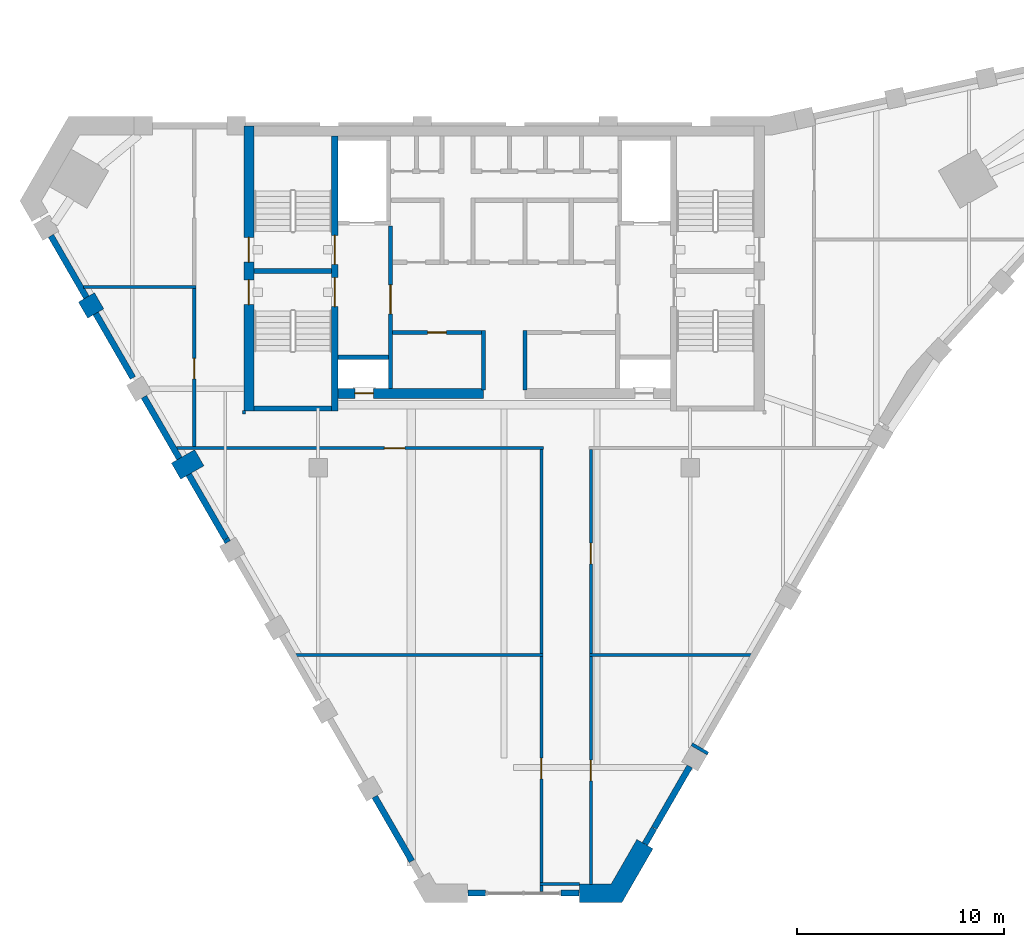
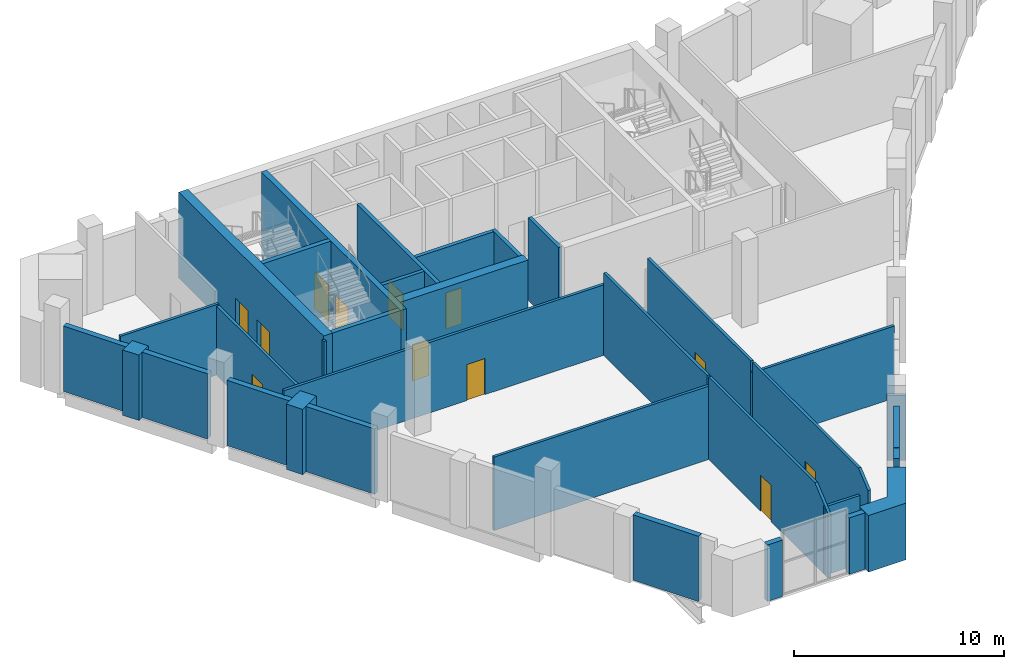
# One storey, part 4 of 9: 35 walls, 12 doors, 12 openings.
"""IFC4 building model written with IfcOpenShell, lengths in metres."""

from ifc_helpers import new_model, si_unit, direction, frame, frame_2d, origin, place, context, subcontext, project, spatial, polyline, rectangle, outline, extrude, material, layer, layer_set, type_object, element, fill, save


model = new_model("IFC4")

# Units and contexts
model_context = context("Model", 3, precision=1e-05, world=origin(), true_north=direction((0.0, 1.0)))
body_context = subcontext(model_context, "Body", "Model", "MODEL_VIEW")
ifc_project = project(units=[si_unit("LENGTHUNIT", "METRE"), si_unit("AREAUNIT", "SQUARE_METRE"), si_unit("VOLUMEUNIT", "CUBIC_METRE"), si_unit("PLANEANGLEUNIT", "RADIAN"), si_unit("MASSUNIT", "GRAM", prefix="KILO")], contexts=[model_context])

# Site, building, storey
site_placement = place(None, origin())
site = spatial("IfcSite", under=ifc_project, at=site_placement, CompositionType="ELEMENT")
building_placement = place(site_placement, origin())
building = spatial("IfcBuilding", under=site, at=building_placement, Name="Calabash Gate Tower", CompositionType="ELEMENT")
storey_placement = place(building_placement, frame((0.0, 0.0, 315.5)))
storey = spatial("IfcBuildingStorey", under=building, at=storey_placement, Name="L74", CompositionType="ELEMENT", Elevation=315.5)

# Walls
ifc_material_1 = material(Name="Terracotta brick masonry, exposed face", Category="masonry")
ifc_layer_1 = layer(ifc_material_1, 0.89990234375)
ifc_layer_set_1 = layer_set([ifc_layer_1], Name="Brick end wall 900")
wall_type_1 = type_object("IfcWallType", Name="Brick end wall 900", PredefinedType="SOLIDWALL", material=ifc_layer_set_1)
wall_1_placement = place(storey_placement, frame((-20.216064453125, 10.749755859375, 0.0), z_axis=(0.0, 0.0, 1.0), x_axis=(0.500105887137, -0.865964261186, 0.0)))
element("IfcWall", 1, at=wall_1_placement, inside=storey, type_object=wall_type_1, Name="Brick pier L74 crown0.1", PredefinedType="SOLIDWALL", context=body_context, shape_type="SweptSolid", body=[
    extrude(rectangle(XDim=0.900146484375, YDim=0.89990234375, at=frame_2d((0.4501953125, 0.0))), origin(), (0.0, 0.0, 1.0), 3.800048828125),
])
wall_2_placement = place(storey_placement, frame((-15.880615234375, 2.3408203125, 0.0), z_axis=(0.0, 0.0, 1.0), x_axis=(0.86611990832, 0.499836277606, 0.0)))
element("IfcWall", 2, at=wall_2_placement, inside=storey, type_object=wall_type_1, Name="Brick pier L74 crown0.3", PredefinedType="SOLIDWALL", context=body_context, shape_type="SweptSolid", body=[
    extrude(rectangle(XDim=1.2998046875, YDim=0.89990234375, at=frame_2d((0.64990234375, 0.0))), origin(), (0.0, 0.0, 1.0), 3.800048828125),
])
wall_3_placement = place(storey_placement, origin())
element("IfcWall", 3, at=wall_3_placement, inside=storey, type_object=wall_type_1, Name="Brick pier L74 crown2.1", PredefinedType="SOLIDWALL", context=body_context, shape_type="SweptSolid", body=[
    extrude(outline(polyline([(9.122314453125, -10.80712890625), (8.67236328125, -11.586669921875), (8.67236328125, -11.586669921875), (9.043212890625, -10.9443359375), (9.822509765625, -11.394287109375), (9.901611328125, -11.25732421875), (9.122314453125, -10.80712890625)])), origin(), (0.0, 0.0, 1.0), 3.800048828125),
])
wall_4_placement = place(storey_placement, origin())
element("IfcWall", 4, at=wall_4_placement, inside=storey, type_object=wall_type_1, Name="Brick end wall L74 2", PredefinedType="SOLIDWALL", context=body_context, shape_type="SweptSolid", body=[
    extrude(outline(polyline([(3.635986328125, -17.630859375), (3.635986328125, -18.53076171875), (5.702392578125, -18.53076171875), (7.20166015625, -15.933837890625), (6.42236328125, -15.48388671875), (5.1826171875, -17.630859375), (3.635986328125, -17.630859375)])), origin(), (0.0, 0.0, 1.0), 3.29736328125),
])
ifc_material_2 = material(Name="Gypsum board on steel studs, mineral wool", Category="steel")
ifc_layer_2 = layer(ifc_material_2, 0.199951171875)
ifc_layer_set_2 = layer_set([ifc_layer_2], Name="Core partition 200 gypsum board")
wall_type_2 = type_object("IfcWallType", Name="Core partition 200 gypsum board", PredefinedType="PARTITIONING", material=ifc_layer_set_2)
for number, where, z_axis, x_axis, name in (
    (5, (-1.0, 6.272705078125, 0.0), (0.0, 0.0, 1.0), (0.0, 1.0, 0.0), "Core partition"),
    (6, (1.0, 6.272705078125, 0.0), (0.0, 0.0, 1.0), (0.0, 1.0, 0.0), "Core partition"),
):
    element("IfcWall", number, at=place(storey_placement, frame(where, z_axis=z_axis, x_axis=x_axis)), inside=storey, type_object=wall_type_2, Name=name, PredefinedType="PARTITIONING", context=body_context, shape_type="SweptSolid", body=[
        extrude(rectangle(XDim=2.8798828125, YDim=0.199951171875, at=frame_2d((1.43994140625, 0.0))), origin(), (0.0, 0.0, 1.0), 4.800048828125),
    ])

# Wall, opening, door
wall_5_placement = place(storey_placement, frame((-5.39990234375, 9.052490234375, 0.0), z_axis=(0.0, 0.0, 1.0), x_axis=(1.0, 0.0, 0.0)))
wall_5 = element("IfcWall", 7, at=wall_5_placement, inside=storey, type_object=wall_type_2, Name="Core partition", PredefinedType="PARTITIONING", context=body_context, shape_type="SweptSolid", body=[
    extrude(rectangle(XDim=4.2998046875, YDim=0.199951171875, at=frame_2d((2.14990234375, 0.0))), origin(), (0.0, 0.0, 1.0), 4.800048828125),
])
opening_1_placement = place(wall_5_placement, frame((1.699951171875, 0.0, 0.0)))
opening_1 = element("IfcOpeningElement", 8, at=opening_1_placement, cuts=wall_5, Name="Opening L74-018", PredefinedType="OPENING", context=body_context, shape_type="SweptSolid", body=[
    extrude(rectangle(XDim=0.89990234375, YDim=2.10009765625, at=frame_2d((0.449951171875, 1.050048828125))), frame((0.0, 0.10986328125, 0.0), z_axis=(0.0, -1.0, 0.0), x_axis=(1.0, 0.0, 0.0)), (0.0, 0.0, 1.0), 0.219970703125),
])
ifc_material_3 = material(Name="Steel fire door set with fire-resisting glazing", Category="steel")
door_type_1 = type_object("IfcDoorType", Name="Fire door D06 900x2100 FD60", OperationType="NOTDEFINED", PredefinedType="DOOR", material=ifc_material_3)
door_1_placement = place(opening_1_placement, origin())
door_1 = element("IfcDoor", 9, at=door_1_placement, inside=storey, type_object=door_type_1, Name="Plant Control Room door", OperationType="SINGLE_SWING_RIGHT", OverallHeight=2.10009765625, OverallWidth=0.89990234375, PredefinedType="DOOR", context=body_context, shape_type="SweptSolid", body=[
    extrude(rectangle(XDim=0.89990234375, YDim=2.10009765625, at=frame_2d((0.449951171875, 1.050048828125))), frame((0.0, 0.02490234375, 0.0), z_axis=(0.0, -1.0, 0.0), x_axis=(1.0, 0.0, 0.0)), (0.0, 0.0, 1.0), 0.050048828125),
])
fill(opening_1, door_1)

# Walls
ifc_material_4 = material(Name="Concrete C60/75", Category="concrete")
ifc_layer_3 = layer(ifc_material_4, 0.25)
ifc_layer_set_3 = layer_set([ifc_layer_3], Name="Core wall 250 Concrete C60/75")
wall_type_3 = type_object("IfcWallType", Name="Core wall 250 Concrete C60/75", PredefinedType="SHEAR", material=ifc_layer_set_3)
for number, where, z_axis, x_axis, name in (
    (10, (-12.10009765625, 12.027587890625, 0.0), (0.0, 0.0, 1.0), (1.0, 0.0, 0.0), "Core wall C-MIDW L74"),
    (11, (-12.10009765625, 5.377685546875, 0.0), (0.0, 0.0, 1.0), (1.0, 0.0, 0.0), "Core wall C-SSW L74"),
):
    element("IfcWall", number, at=place(storey_placement, frame(where, z_axis=z_axis, x_axis=x_axis)), inside=storey, type_object=wall_type_3, Name=name, PredefinedType="SHEAR", context=body_context, shape_type="SweptSolid", body=[
        extrude(rectangle(XDim=3.75, YDim=0.25, at=frame_2d((1.875, 0.0))), origin(), (0.0, 0.0, 1.0), 5.0),
    ])

# Wall, openings, doors
ifc_material_5 = material(Name="Concrete C60/75", Category="concrete")
ifc_layer_4 = layer(ifc_material_5, 0.300048828125)
ifc_layer_set_4 = layer_set([ifc_layer_4], Name="Core wall 300 Concrete C60/75")
wall_type_4 = type_object("IfcWallType", Name="Core wall 300 Concrete C60/75", PredefinedType="SHEAR", material=ifc_layer_set_4)
wall_6_placement = place(storey_placement, frame((-8.199951171875, 5.252685546875, 0.0), z_axis=(0.0, 0.0, 1.0), x_axis=(0.0, 1.0, 0.0)))
wall_6 = element("IfcWall", 12, at=wall_6_placement, inside=storey, type_object=wall_type_4, Name="Core wall C-PARTW L74", PredefinedType="SHEAR", context=body_context, shape_type="SweptSolid", body=[
    extrude(rectangle(XDim=13.2998046875, YDim=0.300048828125, at=frame_2d((6.64990234375, 0.0))), origin(), (0.0, 0.0, 1.0), 5.0),
])
opening_2_placement = place(wall_6_placement, frame((7.10009765625, 0.0, 0.0)))
opening_2 = element("IfcOpeningElement", 13, at=opening_2_placement, cuts=wall_6, Name="Opening L74-001", PredefinedType="OPENING", context=body_context, shape_type="SweptSolid", body=[
    extrude(rectangle(XDim=1.39990234375, YDim=2.10009765625, at=frame_2d((0.699951171875, 1.050048828125))), frame((0.0, 0.159912109375, 0.0), z_axis=(0.0, -1.0, 0.0), x_axis=(1.0, 0.0, 0.0)), (0.0, 0.0, 1.0), 0.320068359375),
])
opening_3_placement = place(wall_6_placement, frame((5.050048828125, 0.0, 0.0)))
opening_3 = element("IfcOpeningElement", 14, at=opening_3_placement, cuts=wall_6, Name="Opening L74-002", PredefinedType="OPENING", context=body_context, shape_type="SweptSolid", body=[
    extrude(rectangle(XDim=1.39990234375, YDim=2.10009765625, at=frame_2d((0.699951171875, 1.050048828125))), frame((0.0, 0.159912109375, 0.0), z_axis=(0.0, -1.0, 0.0), x_axis=(1.0, 0.0, 0.0)), (0.0, 0.0, 1.0), 0.320068359375),
])
ifc_material_6 = material(Name="Steel fire door set with fire-resisting glazing", Category="steel")
door_type_2 = type_object("IfcDoorType", Name="Fire door D05 1400x2100 FD90", OperationType="NOTDEFINED", PredefinedType="DOOR", material=ifc_material_6)
door_2_placement = place(opening_2_placement, origin())
door_2 = element("IfcDoor", 15, at=door_2_placement, inside=storey, type_object=door_type_2, Name="Exit stair door ST1", OperationType="SINGLE_SWING_LEFT", OverallHeight=2.10009765625, OverallWidth=1.39990234375, PredefinedType="DOOR", context=body_context, shape_type="SweptSolid", body=[
    extrude(rectangle(XDim=1.39990234375, YDim=2.10009765625, at=frame_2d((0.699951171875, 1.050048828125))), frame((0.0, 0.02490234375, 0.0), z_axis=(0.0, -1.0, 0.0), x_axis=(1.0, 0.0, 0.0)), (0.0, 0.0, 1.0), 0.050048828125),
])
fill(opening_2, door_2)
door_3_placement = place(opening_3_placement, origin())
door_3 = element("IfcDoor", 16, at=door_3_placement, inside=storey, type_object=door_type_2, Name="Exit stair door ST2", OperationType="SINGLE_SWING_LEFT", OverallHeight=2.10009765625, OverallWidth=1.39990234375, PredefinedType="DOOR", context=body_context, shape_type="SweptSolid", body=[
    extrude(rectangle(XDim=1.39990234375, YDim=2.10009765625, at=frame_2d((0.699951171875, 1.050048828125))), frame((0.0, 0.02490234375, 0.0), z_axis=(0.0, -1.0, 0.0), x_axis=(1.0, 0.0, 0.0)), (0.0, 0.0, 1.0), 0.050048828125),
])
fill(opening_3, door_3)

ifc_material_7 = material(Name="Concrete C60/75", Category="concrete")
ifc_layer_5 = layer(ifc_material_7, 0.5)
ifc_layer_set_5 = layer_set([ifc_layer_5], Name="Core wall 500 Concrete C60/75")
wall_type_5 = type_object("IfcWallType", Name="Core wall 500 Concrete C60/75", PredefinedType="SHEAR", material=ifc_layer_set_5)
wall_7_placement = place(storey_placement, frame((-12.35009765625, 5.252685546875, 0.0), z_axis=(0.0, 0.0, 1.0), x_axis=(0.0, 1.0, 0.0)))
wall_7 = element("IfcWall", 17, at=wall_7_placement, inside=storey, type_object=wall_type_5, Name="Core wall C-COLW L74", PredefinedType="SHEAR", context=body_context, shape_type="SweptSolid", body=[
    extrude(rectangle(XDim=13.7998046875, YDim=0.5, at=frame_2d((6.89990234375, 0.0))), origin(), (0.0, 0.0, 1.0), 5.0),
])
opening_4_placement = place(wall_7_placement, frame((7.199951171875, 0.0, 0.0)))
opening_4 = element("IfcOpeningElement", 18, at=opening_4_placement, cuts=wall_7, Name="Opening L74-005", PredefinedType="OPENING", context=body_context, shape_type="SweptSolid", body=[
    extrude(rectangle(XDim=1.199951171875, YDim=2.10009765625, at=frame_2d((0.60009765625, 1.050048828125))), frame((0.0, 0.260009765625, 0.0), z_axis=(0.0, -1.0, 0.0), x_axis=(1.0, 0.0, 0.0)), (0.0, 0.0, 1.0), 0.52001953125),
])
opening_5_placement = place(wall_7_placement, frame((5.14990234375, 0.0, 0.0)))
opening_5 = element("IfcOpeningElement", 19, at=opening_5_placement, cuts=wall_7, Name="Opening L74-006", PredefinedType="OPENING", context=body_context, shape_type="SweptSolid", body=[
    extrude(rectangle(XDim=1.199951171875, YDim=2.10009765625, at=frame_2d((0.60009765625, 1.050048828125))), frame((0.0, 0.260009765625, 0.0), z_axis=(0.0, -1.0, 0.0), x_axis=(1.0, 0.0, 0.0)), (0.0, 0.0, 1.0), 0.52001953125),
])
ifc_material_8 = material(Name="Steel fire door set with fire-resisting glazing", Category="steel")
door_type_3 = type_object("IfcDoorType", Name="Fire door D10 1200x2100 FD90", OperationType="NOTDEFINED", PredefinedType="DOOR", material=ifc_material_8)
door_4_placement = place(opening_4_placement, origin())
door_4 = element("IfcDoor", 20, at=door_4_placement, inside=storey, type_object=door_type_3, Name="Exit stair door ST1", OperationType="SINGLE_SWING_RIGHT", OverallHeight=2.10009765625, OverallWidth=1.199951171875, PredefinedType="DOOR", context=body_context, shape_type="SweptSolid", body=[
    extrude(rectangle(XDim=1.199951171875, YDim=2.10009765625, at=frame_2d((0.60009765625, 1.050048828125))), frame((0.0, 0.02490234375, 0.0), z_axis=(0.0, -1.0, 0.0), x_axis=(1.0, 0.0, 0.0)), (0.0, 0.0, 1.0), 0.050048828125),
])
fill(opening_4, door_4)
door_5_placement = place(opening_5_placement, origin())
door_5 = element("IfcDoor", 21, at=door_5_placement, inside=storey, type_object=door_type_3, Name="Exit stair door ST2", OperationType="SINGLE_SWING_LEFT", OverallHeight=2.10009765625, OverallWidth=1.199951171875, PredefinedType="DOOR", context=body_context, shape_type="SweptSolid", body=[
    extrude(rectangle(XDim=1.199951171875, YDim=2.10009765625, at=frame_2d((0.60009765625, 1.050048828125))), frame((0.0, 0.02490234375, 0.0), z_axis=(0.0, -1.0, 0.0), x_axis=(1.0, 0.0, 0.0)), (0.0, 0.0, 1.0), 0.050048828125),
])
fill(opening_5, door_5)

# Wall, opening, door
wall_8_placement = place(storey_placement, frame((-8.050048828125, 6.1025390625, 0.0), z_axis=(0.0, 0.0, 1.0), x_axis=(1.0, 0.0, 0.0)))
wall_8 = element("IfcWall", 22, at=wall_8_placement, inside=storey, type_object=wall_type_5, Name="Core wall C-SA L74", PredefinedType="SHEAR", context=body_context, shape_type="SweptSolid", body=[
    extrude(rectangle(XDim=7.050048828125, YDim=0.5, at=frame_2d((3.52490234375, 0.0))), origin(), (0.0, 0.0, 1.0), 5.0),
])
opening_6_placement = place(wall_8_placement, frame((0.824951171875, 0.0, 0.0)))
opening_6 = element("IfcOpeningElement", 23, at=opening_6_placement, cuts=wall_8, Name="Opening L74-024", PredefinedType="OPENING", context=body_context, shape_type="SweptSolid", body=[
    extrude(rectangle(XDim=0.89990234375, YDim=2.10009765625, at=frame_2d((0.449951171875, 1.050048828125))), frame((0.0, 0.260009765625, 0.0), z_axis=(0.0, -1.0, 0.0), x_axis=(1.0, 0.0, 0.0)), (0.0, 0.0, 1.0), 0.52001953125),
])
ifc_material_9 = material(Name="Steel fire door set with fire-resisting glazing", Category="steel")
door_type_4 = type_object("IfcDoorType", Name="Fire door D07 900x2100 FD90", OperationType="NOTDEFINED", PredefinedType="DOOR", material=ifc_material_9)
door_6_placement = place(opening_6_placement, origin())
door_6 = element("IfcDoor", 24, at=door_6_placement, inside=storey, type_object=door_type_4, Name="Electrical Riser W door", OperationType="SINGLE_SWING_LEFT", OverallHeight=2.10009765625, OverallWidth=0.89990234375, PredefinedType="DOOR", context=body_context, shape_type="SweptSolid", body=[
    extrude(rectangle(XDim=0.89990234375, YDim=2.10009765625, at=frame_2d((0.449951171875, 1.050048828125))), frame((0.0, 0.02490234375, 0.0), z_axis=(0.0, -1.0, 0.0), x_axis=(1.0, 0.0, 0.0)), (0.0, 0.0, 1.0), 0.050048828125),
])
fill(opening_6, door_6)

# Wall
ifc_material_10 = material(Name="Gypsum board on steel studs, mineral wool", Category="steel")
ifc_layer_6 = layer(ifc_material_10, 0.14990234375)
ifc_layer_set_6 = layer_set([ifc_layer_6], Name="Partition 150 gypsum board")
wall_type_6 = type_object("IfcWallType", Name="Partition 150 gypsum board", PredefinedType="PARTITIONING", material=ifc_layer_set_6)
wall_9_placement = place(storey_placement, frame((1.72509765625, -17.6474609375, 0.0), z_axis=(0.0, 0.0, 1.0), x_axis=(1.0, 0.0, 0.0)))
element("IfcWall", 25, at=wall_9_placement, inside=storey, type_object=wall_type_6, Name="Partition", PredefinedType="PARTITIONING", context=body_context, shape_type="SweptSolid", body=[
    extrude(rectangle(XDim=1.930908203125, YDim=0.14990234375, at=frame_2d((0.96533203125, 0.0))), origin(), (0.0, 0.0, 1.0), 3.9755859375),
])

# Wall, opening, door
wall_10_placement = place(storey_placement, frame((1.800048828125, -18.000732421875, 0.0), z_axis=(0.0, 0.0, 1.0), x_axis=(0.0, 1.0, 0.0)))
wall_10 = element("IfcWall", 26, at=wall_10_placement, inside=storey, type_object=wall_type_6, Name="Partition", PredefinedType="PARTITIONING", context=body_context, shape_type="SweptSolid", body=[
    extrude(outline(polyline([(0.0, 0.0), (11.37841796875, 0.0), (11.37841796875, 4.800048828125), (1.2607421875, 4.800048828125), (0.0, 3.7421875), (0.0, 0.0)])), frame((0.0, 0.074951171875, 0.0), z_axis=(0.0, -1.0, 0.0), x_axis=(1.0, 0.0, 0.0)), (0.0, 0.0, 1.0), 0.14990234375),
])
opening_7_placement = place(wall_10_placement, frame((5.453369140625, 0.0, 0.0)))
opening_7 = element("IfcOpeningElement", 27, at=opening_7_placement, cuts=wall_10, Name="Opening L74-031", PredefinedType="OPENING", context=body_context, shape_type="SweptSolid", body=[
    extrude(rectangle(XDim=1.0, YDim=2.10009765625, at=frame_2d((0.5, 1.050048828125))), frame((0.0, 0.0849609375, 0.0), z_axis=(0.0, -1.0, 0.0), x_axis=(1.0, 0.0, 0.0)), (0.0, 0.0, 1.0), 0.169921875),
])
ifc_material_11 = material(Name="Steel fire door set with fire-resisting glazing", Category="steel")
door_type_5 = type_object("IfcDoorType", Name="Fire door D11 1000x2100 FD60", OperationType="NOTDEFINED", PredefinedType="DOOR", material=ifc_material_11)
door_7_placement = place(opening_7_placement, origin())
door_7 = element("IfcDoor", 28, at=door_7_placement, inside=storey, type_object=door_type_5, Name="Cooling Tower Plant Room door", OperationType="SINGLE_SWING_RIGHT", OverallHeight=2.10009765625, OverallWidth=1.0, PredefinedType="DOOR", context=body_context, shape_type="SweptSolid", body=[
    extrude(rectangle(XDim=1.0, YDim=2.10009765625, at=frame_2d((0.5, 1.050048828125))), frame((0.0, 0.02490234375, 0.0), z_axis=(0.0, -1.0, 0.0), x_axis=(1.0, 0.0, 0.0)), (0.0, 0.0, 1.0), 0.050048828125),
])
fill(opening_7, door_7)

wall_11_placement = place(storey_placement, frame((4.199951171875, -17.650634765625, 0.0), z_axis=(0.0, 0.0, 1.0), x_axis=(0.0, 1.0, 0.0)))
wall_11 = element("IfcWall", 29, at=wall_11_placement, inside=storey, type_object=wall_type_6, Name="Partition", PredefinedType="PARTITIONING", context=body_context, shape_type="SweptSolid", body=[
    extrude(outline(polyline([(0.0, 0.0), (11.0283203125, 0.0), (11.0283203125, 4.800048828125), (0.91064453125, 4.800048828125), (0.0, 4.035888671875), (0.0, 0.0)])), frame((0.0, 0.074951171875, 0.0), z_axis=(0.0, -1.0, 0.0), x_axis=(1.0, 0.0, 0.0)), (0.0, 0.0, 1.0), 0.14990234375),
])
opening_8_placement = place(wall_11_placement, frame((5.00341796875, 0.0, 0.0)))
opening_8 = element("IfcOpeningElement", 30, at=opening_8_placement, cuts=wall_11, Name="Opening L74-033", PredefinedType="OPENING", context=body_context, shape_type="SweptSolid", body=[
    extrude(rectangle(XDim=1.0, YDim=2.10009765625, at=frame_2d((0.5, 1.050048828125))), frame((0.0, 0.0849609375, 0.0), z_axis=(0.0, -1.0, 0.0), x_axis=(1.0, 0.0, 0.0)), (0.0, 0.0, 1.0), 0.169921875),
])
door_8_placement = place(opening_8_placement, origin())
door_8 = element("IfcDoor", 31, at=door_8_placement, inside=storey, type_object=door_type_5, Name="Electrical Switch Room door", OperationType="SINGLE_SWING_RIGHT", OverallHeight=2.10009765625, OverallWidth=1.0, PredefinedType="DOOR", context=body_context, shape_type="SweptSolid", body=[
    extrude(rectangle(XDim=1.0, YDim=2.10009765625, at=frame_2d((0.5, 1.050048828125))), frame((0.0, 0.02490234375, 0.0), z_axis=(0.0, -1.0, 0.0), x_axis=(1.0, 0.0, 0.0)), (0.0, 0.0, 1.0), 0.050048828125),
])
fill(opening_8, door_8)

# Walls
wall_12_placement = place(storey_placement, frame((-10.076171875, -6.54736328125, 0.0), z_axis=(0.0, 0.0, 1.0), x_axis=(1.0, 0.0, 0.0)))
element("IfcWall", 32, at=wall_12_placement, inside=storey, type_object=wall_type_6, Name="Partition", PredefinedType="PARTITIONING", context=body_context, shape_type="SweptSolid", body=[
    extrude(rectangle(XDim=11.951171875, YDim=0.14990234375, at=frame_2d((5.9755859375, 0.0))), origin(), (0.0, 0.0, 1.0), 4.271728515625),
])
wall_13_placement = place(storey_placement, frame((4.125, -6.54736328125, 0.0), z_axis=(0.0, 0.0, 1.0), x_axis=(1.0, 0.0, 0.0)))
element("IfcWall", 33, at=wall_13_placement, inside=storey, type_object=wall_type_6, Name="Partition", PredefinedType="PARTITIONING", context=body_context, shape_type="SweptSolid", body=[
    extrude(rectangle(XDim=7.822998046875, YDim=0.14990234375, at=frame_2d((3.91162109375, 0.0))), origin(), (0.0, 0.0, 1.0), 4.197998046875),
])
wall_14_placement = place(storey_placement, frame((1.800048828125, -6.472412109375, 0.0), z_axis=(0.0, 0.0, 1.0), x_axis=(0.0, 1.0, 0.0)))
element("IfcWall", 34, at=wall_14_placement, inside=storey, type_object=wall_type_6, Name="Partition", PredefinedType="PARTITIONING", context=body_context, shape_type="SweptSolid", body=[
    extrude(rectangle(XDim=9.85009765625, YDim=0.14990234375, at=frame_2d((4.925048828125, 0.0))), origin(), (0.0, 0.0, 1.0), 4.800048828125),
])

# Wall, opening, door
wall_15_placement = place(storey_placement, frame((4.199951171875, -6.472412109375, 0.0), z_axis=(0.0, 0.0, 1.0), x_axis=(0.0, 1.0, 0.0)))
wall_15 = element("IfcWall", 35, at=wall_15_placement, inside=storey, type_object=wall_type_6, Name="Partition", PredefinedType="PARTITIONING", context=body_context, shape_type="SweptSolid", body=[
    extrude(rectangle(XDim=9.85009765625, YDim=0.14990234375, at=frame_2d((4.925048828125, 0.0))), origin(), (0.0, 0.0, 1.0), 4.800048828125),
])
opening_9_placement = place(wall_15_placement, frame((4.324951171875, 0.0, 0.0)))
opening_9 = element("IfcOpeningElement", 36, at=opening_9_placement, cuts=wall_15, Name="Opening L74-032", PredefinedType="OPENING", context=body_context, shape_type="SweptSolid", body=[
    extrude(rectangle(XDim=1.0, YDim=2.10009765625, at=frame_2d((0.5, 1.050048828125))), frame((0.0, 0.0849609375, 0.0), z_axis=(0.0, -1.0, 0.0), x_axis=(1.0, 0.0, 0.0)), (0.0, 0.0, 1.0), 0.169921875),
])
door_9_placement = place(opening_9_placement, origin())
door_9 = element("IfcDoor", 37, at=door_9_placement, inside=storey, type_object=door_type_5, Name="Electrical Switch Room door", OperationType="SINGLE_SWING_RIGHT", OverallHeight=2.10009765625, OverallWidth=1.0, PredefinedType="DOOR", context=body_context, shape_type="SweptSolid", body=[
    extrude(rectangle(XDim=1.0, YDim=2.10009765625, at=frame_2d((0.5, 1.050048828125))), frame((0.0, 0.02490234375, 0.0), z_axis=(0.0, -1.0, 0.0), x_axis=(1.0, 0.0, 0.0)), (0.0, 0.0, 1.0), 0.050048828125),
])
fill(opening_9, door_9)

wall_16_placement = place(storey_placement, frame((-15.849853515625, 3.45263671875, 0.0), z_axis=(0.0, 0.0, 1.0), x_axis=(1.0, 0.0, 0.0)))
wall_16 = element("IfcWall", 38, at=wall_16_placement, inside=storey, type_object=wall_type_6, Name="Partition", PredefinedType="PARTITIONING", context=body_context, shape_type="SweptSolid", body=[
    extrude(rectangle(XDim=17.7548828125, YDim=0.14990234375, at=frame_2d((8.87744140625, 0.0))), origin(), (0.0, 0.0, 1.0), 4.10009765625),
])
opening_10_placement = place(wall_16_placement, frame((10.0498046875, 0.0, 0.0)))
opening_10 = element("IfcOpeningElement", 39, at=opening_10_placement, cuts=wall_16, Name="Opening L74-030", PredefinedType="OPENING", context=body_context, shape_type="SweptSolid", body=[
    extrude(rectangle(XDim=1.0, YDim=2.10009765625, at=frame_2d((0.5, 1.050048828125))), frame((0.0, 0.0849609375, 0.0), z_axis=(0.0, -1.0, 0.0), x_axis=(1.0, 0.0, 0.0)), (0.0, 0.0, 1.0), 0.169921875),
])
door_10_placement = place(opening_10_placement, origin())
door_10 = element("IfcDoor", 40, at=door_10_placement, inside=storey, type_object=door_type_5, Name="Cooling Tower Plant Room door", OperationType="SINGLE_SWING_RIGHT", OverallHeight=2.10009765625, OverallWidth=1.0, PredefinedType="DOOR", context=body_context, shape_type="SweptSolid", body=[
    extrude(rectangle(XDim=1.0, YDim=2.10009765625, at=frame_2d((0.5, 1.050048828125))), frame((0.0, 0.02490234375, 0.0), z_axis=(0.0, -1.0, 0.0), x_axis=(1.0, 0.0, 0.0)), (0.0, 0.0, 1.0), 0.050048828125),
])
fill(opening_10, door_10)

wall_17_placement = place(storey_placement, frame((-15.0, 3.527587890625, 0.0), z_axis=(0.0, 0.0, 1.0), x_axis=(0.0, 1.0, 0.0)))
wall_17 = element("IfcWall", 41, at=wall_17_placement, inside=storey, type_object=wall_type_6, Name="Partition", PredefinedType="PARTITIONING", context=body_context, shape_type="SweptSolid", body=[
    extrude(rectangle(XDim=7.64990234375, YDim=0.14990234375, at=frame_2d((3.824951171875, 0.0))), origin(), (0.0, 0.0, 1.0), 4.02001953125),
])
opening_11_placement = place(wall_17_placement, frame((3.27490234375, 0.0, 0.0)))
opening_11 = element("IfcOpeningElement", 42, at=opening_11_placement, cuts=wall_17, Name="Opening L74-027", PredefinedType="OPENING", context=body_context, shape_type="SweptSolid", body=[
    extrude(rectangle(XDim=1.0, YDim=2.10009765625, at=frame_2d((0.5, 1.050048828125))), frame((0.0, 0.0849609375, 0.0), z_axis=(0.0, -1.0, 0.0), x_axis=(1.0, 0.0, 0.0)), (0.0, 0.0, 1.0), 0.169921875),
])
door_11_placement = place(opening_11_placement, origin())
door_11 = element("IfcDoor", 43, at=door_11_placement, inside=storey, type_object=door_type_5, Name="Mechanical Fan Room door", OperationType="SINGLE_SWING_RIGHT", OverallHeight=2.10009765625, OverallWidth=1.0, PredefinedType="DOOR", context=body_context, shape_type="SweptSolid", body=[
    extrude(rectangle(XDim=1.0, YDim=2.10009765625, at=frame_2d((0.5, 1.050048828125))), frame((0.0, 0.02490234375, 0.0), z_axis=(0.0, -1.0, 0.0), x_axis=(1.0, 0.0, 0.0)), (0.0, 0.0, 1.0), 0.050048828125),
])
fill(opening_11, door_11)

# Walls
wall_18_placement = place(storey_placement, frame((-12.60009765625, 5.09765625, 0.0), z_axis=(0.0, 0.0, 1.0), x_axis=(0.0, 1.0, 0.0)))
element("IfcWall", 44, at=wall_18_placement, inside=storey, type_object=wall_type_6, Name="Partition", PredefinedType="PARTITIONING", context=body_context, shape_type="SweptSolid", body=[
    extrude(rectangle(XDim=0.179931640625, YDim=0.14990234375, at=frame_2d((0.08984375, 0.0))), origin(), (0.0, 0.0, 1.0), 4.800048828125),
])
wall_19_placement = place(storey_placement, frame((-20.35302734375, 11.252685546875, 0.0), z_axis=(0.0, 0.0, 1.0), x_axis=(1.0, 0.0, 0.0)))
element("IfcWall", 45, at=wall_19_placement, inside=storey, type_object=wall_type_6, Name="Partition", PredefinedType="PARTITIONING", context=body_context, shape_type="SweptSolid", body=[
    extrude(rectangle(XDim=5.427978515625, YDim=0.14990234375, at=frame_2d((2.7138671875, 0.0))), origin(), (0.0, 0.0, 1.0), 4.10009765625),
])

# Wall, opening, door
ifc_material_12 = material(Name="Concrete C40/50", Category="concrete")
ifc_layer_7 = layer(ifc_material_12, 0.199951171875)
ifc_layer_set_7 = layer_set([ifc_layer_7], Name="Shaft wall 200 Concrete C40/50")
wall_type_7 = type_object("IfcWallType", Name="Shaft wall 200 Concrete C40/50", PredefinedType="SOLIDWALL", material=ifc_layer_set_7)
wall_20_placement = place(storey_placement, frame((-5.5, 6.3525390625, 0.0), z_axis=(0.0, 0.0, 1.0), x_axis=(0.0, 1.0, 0.0)))
wall_20 = element("IfcWall", 46, at=wall_20_placement, inside=storey, type_object=wall_type_7, Name="Shaft wall", PredefinedType="SOLIDWALL", context=body_context, shape_type="SweptSolid", body=[
    extrude(rectangle(XDim=7.85009765625, YDim=0.199951171875, at=frame_2d((3.925048828125, 0.0))), origin(), (0.0, 0.0, 1.0), 4.800048828125),
])
opening_12_placement = place(wall_20_placement, frame((3.60009765625, 0.0, 0.0)))
opening_12 = element("IfcOpeningElement", 47, at=opening_12_placement, cuts=wall_20, Name="Opening L74-010", PredefinedType="OPENING", context=body_context, shape_type="SweptSolid", body=[
    extrude(rectangle(XDim=1.39990234375, YDim=2.10009765625, at=frame_2d((0.699951171875, 1.050048828125))), frame((0.0, 0.10986328125, 0.0), z_axis=(0.0, -1.0, 0.0), x_axis=(1.0, 0.0, 0.0)), (0.0, 0.0, 1.0), 0.219970703125),
])
door_12_placement = place(opening_12_placement, origin())
door_12 = element("IfcDoor", 48, at=door_12_placement, inside=storey, type_object=door_type_2, Name="Firefighting Lobby W door", OperationType="SINGLE_SWING_RIGHT", OverallHeight=2.10009765625, OverallWidth=1.39990234375, PredefinedType="DOOR", context=body_context, shape_type="SweptSolid", body=[
    extrude(rectangle(XDim=1.39990234375, YDim=2.10009765625, at=frame_2d((0.699951171875, 1.050048828125))), frame((0.0, 0.02490234375, 0.0), z_axis=(0.0, -1.0, 0.0), x_axis=(1.0, 0.0, 0.0)), (0.0, 0.0, 1.0), 0.050048828125),
])
fill(opening_12, door_12)

# Walls
wall_21_placement = place(storey_placement, frame((-8.050048828125, 7.8525390625, 0.0), z_axis=(0.0, 0.0, 1.0), x_axis=(1.0, 0.0, 0.0)))
element("IfcWall", 49, at=wall_21_placement, inside=storey, type_object=wall_type_7, Name="Shaft wall", PredefinedType="SOLIDWALL", context=body_context, shape_type="SweptSolid", body=[
    extrude(rectangle(XDim=2.449951171875, YDim=0.199951171875, at=frame_2d((1.22509765625, 0.0))), origin(), (0.0, 0.0, 1.0), 4.800048828125),
])
ifc_material_13 = material(Name="Terracotta louvre blades in an aluminium frame", Category="masonry")
ifc_layer_8 = layer(ifc_material_13, 0.300048828125)
ifc_layer_set_8 = layer_set([ifc_layer_8], Name="Terracotta louvre wall 300")
wall_type_8 = type_object("IfcWallType", Name="Terracotta louvre wall 300", PredefinedType="ELEMENTEDWALL", material=ifc_layer_set_8)
wall_22_placement = place(storey_placement, origin())
element("IfcWall", 50, at=wall_22_placement, inside=storey, type_object=wall_type_8, Name="LOUVRE L74 crown0.1", PredefinedType="ELEMENTEDWALL", context=body_context, shape_type="SweptSolid", body=[
    extrude(outline(polyline([(-20.086181640625, 10.82470703125), (-21.806884765625, 13.805419921875), (-22.066650390625, 13.6552734375), (-20.345947265625, 10.674560546875), (-20.086181640625, 10.82470703125)])), origin(), (0.0, 0.0, 1.0), 3.800048828125),
])
wall_23_placement = place(storey_placement, frame((-19.765869140625, 9.97021484375, 0.0), z_axis=(0.0, 0.0, 1.0), x_axis=(0.499961193289, -0.866047807691, 0.0)))
element("IfcWall", 51, at=wall_23_placement, inside=storey, type_object=wall_type_8, Name="LOUVRE L74 crown0.2", PredefinedType="ELEMENTEDWALL", context=body_context, shape_type="SweptSolid", body=[
    extrude(rectangle(XDim=3.599853515625, YDim=0.300048828125, at=frame_2d((1.7998046875, 0.0))), origin(), (0.0, 0.0, 1.0), 3.800048828125),
])
wall_24_placement = place(storey_placement, origin())
element("IfcWall", 52, at=wall_24_placement, inside=storey, type_object=wall_type_8, Name="LOUVRE L74 crown0.3", PredefinedType="ELEMENTEDWALL", context=body_context, shape_type="SweptSolid", body=[
    extrude(outline(polyline([(-15.586181640625, 3.030517578125), (-17.30712890625, 6.01123046875), (-17.56689453125, 5.861328125), (-15.845947265625, 2.88037109375), (-15.586181640625, 3.030517578125)])), origin(), (0.0, 0.0, 1.0), 3.800048828125),
])
for number, where, z_axis, x_axis, name in (
    (53, (-15.265869140625, 2.176025390625, 0.0), (0.0, 0.0, 1.0), (0.499961193289, -0.866047807691, 0.0), "LOUVRE L74 crown0.4"),
    (54, (-6.265869140625, -13.412353515625, 0.0), (0.0, 0.0, 1.0), (0.499961193289, -0.866047807691, 0.0), "LOUVRE L74 crown0.8"),
):
    element("IfcWall", number, at=place(storey_placement, frame(where, z_axis=z_axis, x_axis=x_axis)), inside=storey, type_object=wall_type_8, Name=name, PredefinedType="ELEMENTEDWALL", context=body_context, shape_type="SweptSolid", body=[
        extrude(rectangle(XDim=3.599853515625, YDim=0.300048828125, at=frame_2d((1.7998046875, 0.0))), origin(), (0.0, 0.0, 1.0), 3.800048828125),
    ])
wall_25_placement = place(storey_placement, origin())
element("IfcWall", 55, at=wall_25_placement, inside=storey, type_object=wall_type_8, Name="LOUVRE L74 crown2.1", PredefinedType="ELEMENTEDWALL", context=body_context, shape_type="SweptSolid", body=[
    extrude(outline(polyline([(7.391845703125, -15.00439453125), (9.11279296875, -12.023681640625), (8.85302734375, -11.87353515625), (7.132080078125, -14.854248046875), (7.391845703125, -15.00439453125)])), origin(), (0.0, 0.0, 1.0), 3.800048828125),
])
wall_26_placement = place(storey_placement, frame((-13.550048828125, -1.09619140625, 0.0), z_axis=(0.0, 0.0, 1.0), x_axis=(0.865778900179, 0.500426713919, 0.0)))
element("IfcWall", 56, at=wall_26_placement, inside=storey, type_object=wall_type_8, Name="LOUVRE L74 edge crown0.c1", PredefinedType="ELEMENTEDWALL", context=body_context, shape_type="SweptSolid", body=[
    extrude(rectangle(XDim=0.300048828125, YDim=0.175537109375, at=frame_2d((0.14990234375, 0.0))), origin(), (0.0, 0.0, 1.0), 3.800048828125),
])
wall_27_placement = place(storey_placement, frame((-1.74072265625, -18.080810546875, 0.0), z_axis=(0.0, 0.0, 1.0), x_axis=(1.0, 0.0, 0.0)))
element("IfcWall", 57, at=wall_27_placement, inside=storey, type_object=wall_type_8, Name="LOUVRE L74 edge crown1.c3", PredefinedType="ELEMENTEDWALL", context=body_context, shape_type="SweptSolid", body=[
    extrude(rectangle(XDim=0.840087890625, YDim=0.300048828125, at=frame_2d((0.419921875, 0.0))), origin(), (0.0, 0.0, 1.0), 3.27880859375),
])
wall_28_placement = place(storey_placement, frame((2.75927734375, -18.080810546875, 0.0), z_axis=(0.0, 0.0, 1.0), x_axis=(1.0, 0.0, 0.0)))
element("IfcWall", 58, at=wall_28_placement, inside=storey, type_object=wall_type_8, Name="LOUVRE L74 edge crown1.c4", PredefinedType="ELEMENTEDWALL", context=body_context, shape_type="SweptSolid", body=[
    extrude(rectangle(XDim=0.87255859375, YDim=0.300048828125, at=frame_2d((0.436279296875, 0.0))), origin(), (0.0, 0.0, 1.0), 3.27880859375),
])
wall_29_placement = place(storey_placement, frame((6.81396484375, -15.705322265625, 0.0), z_axis=(0.0, 0.0, 1.0), x_axis=(0.499971461383, 0.866041879935, 0.0)))
element("IfcWall", 59, at=wall_29_placement, inside=storey, type_object=wall_type_8, Name="LOUVRE L74 edge crown2.c5", PredefinedType="ELEMENTEDWALL", context=body_context, shape_type="SweptSolid", body=[
    extrude(rectangle(XDim=0.876953125, YDim=0.300048828125, at=frame_2d((0.4384765625, 0.0))), origin(), (0.0, 0.0, 1.0), 3.800048828125),
])

save(model, "model.ifc")
